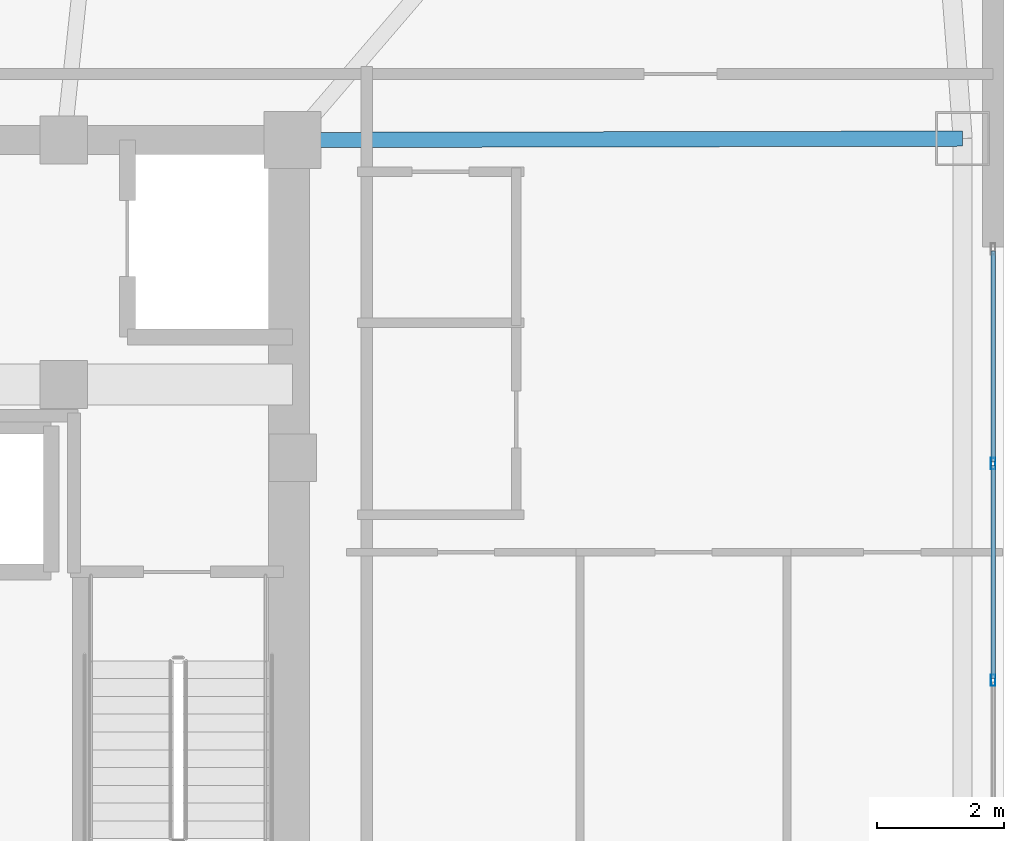
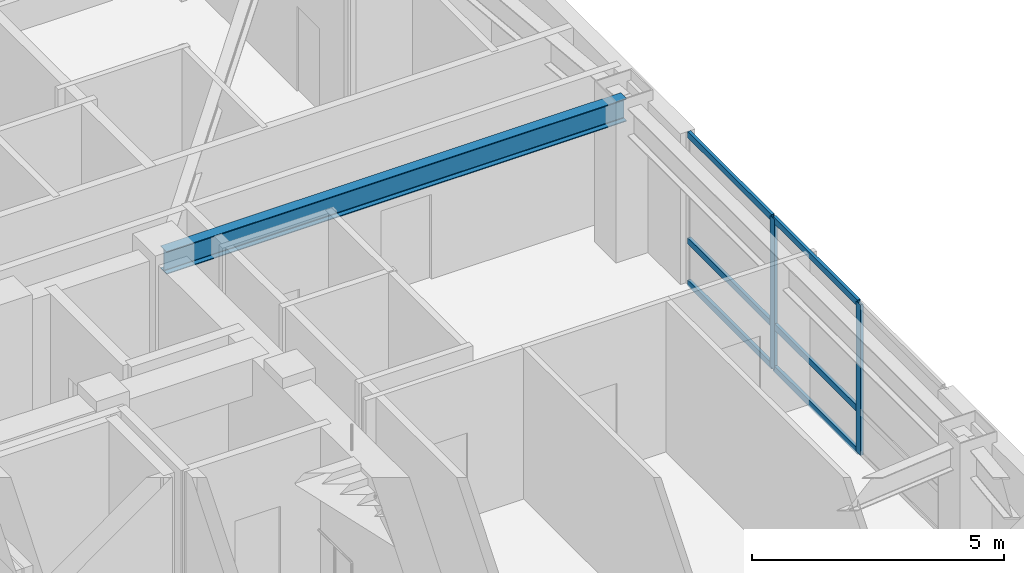
# One storey, part 13 of 29: 8 members, 1 beam, 1 element without a shape of its own.
"""IFC4 building model written with IfcOpenShell, lengths in metres."""

from ifc_helpers import new_model, si_unit, direction, frame, origin, origin_2d, place, context, subcontext, project, spatial, hollow_rectangle, i_section, extrude, material, layer, layer_set, material_profile, profile_set, type_object, element, aggregate, save


model = new_model("IFC4")

# Units and contexts
model_context = context("Model", 3, precision=1e-05, world=origin(), true_north=direction((0.0, 1.0)))
body_context = subcontext(model_context, "Body", "Model", "MODEL_VIEW")
ifc_project = project(units=[si_unit("LENGTHUNIT", "METRE"), si_unit("AREAUNIT", "SQUARE_METRE"), si_unit("VOLUMEUNIT", "CUBIC_METRE"), si_unit("PLANEANGLEUNIT", "RADIAN"), si_unit("MASSUNIT", "GRAM", prefix="KILO")], contexts=[model_context])

# Site, building, storey
site_placement = place(None, origin())
site = spatial("IfcSite", under=ifc_project, at=site_placement, CompositionType="ELEMENT")
building_placement = place(site_placement, origin())
building = spatial("IfcBuilding", under=site, at=building_placement, Name="Voryun Gate Residences", CompositionType="ELEMENT")
storey_placement = place(building_placement, frame((0.0, 0.0, 211.89990234375)))
storey = spatial("IfcBuildingStorey", under=building, at=storey_placement, Name="L52", CompositionType="ELEMENT", Elevation=211.89990234375)

# Beam
ifc_material_1 = material(Name="Steel SM355", Category="steel")
ifc_material_profile_1 = material_profile(ifc_material_1, i_section(OverallWidth=0.239990234375, OverallDepth=0.550048828125, WebThickness=0.011962890625, FlangeThickness=0.02001953125, FilletRadius=0.01806640625, at=origin_2d()), Name="H-550x240x12x20")
ifc_profile_set_1 = profile_set([ifc_material_profile_1], Name="Steel SM355")
beam_type = type_object("IfcBeamType", Name="BM_GIRD_550", PredefinedType="USERDEFINED", material=ifc_profile_set_1)
beam_placement = place(storey_placement, frame((19.199951171875, 7.39990234375, 3.375), z_axis=(0.99999778271, 0.002105843108, 0.0), x_axis=(-0.002105843108, 0.99999778271, 0.0)))
element("IfcBeam", 1, at=beam_placement, inside=storey, type_object=beam_type, Name="BM-L52-RAD-E2", ObjectType="GIRDER", PredefinedType="USERDEFINED", context=body_context, shape_type="SweptSolid", body=[
    extrude(i_section(OverallWidth=0.239990234375, OverallDepth=0.550048828125, WebThickness=0.011962890625, FlangeThickness=0.02001953125, FilletRadius=0.01806640625, at=origin_2d()), origin(), (0.0, 0.0, 1.0), 10.550048828125),
])

# Curtain wall, members
ifc_material_2 = material(Name="Anodised aluminium", Category="aluminium")
ifc_layer = layer(ifc_material_2, 0.18994140625, Name="CW_SYS_RES_B_DARK_GLASS")
ifc_layer_set = layer_set([ifc_layer], Name="Anodised aluminium")
curtain_wall_type = type_object("IfcCurtainWallType", Name="CW_SYS_RES_B_DARK_GLASS", PredefinedType="NOTDEFINED", material=ifc_layer_set)
curtain_wall_placement = place(storey_placement, origin())
curtain_wall = element("IfcCurtainWall", 2, at=curtain_wall_placement, inside=storey, type_object=curtain_wall_type, Name="Curtain wall CWT-L52-16", PredefinedType="NOTDEFINED")
ifc_material_3 = material(Name="Anodised aluminium", Category="aluminium")
ifc_material_profile_2 = material_profile(ifc_material_3, hollow_rectangle(XDim=0.070068359375, YDim=0.179931640625, WallThickness=0.00390625, at=origin_2d()), Name="ALU-MULL-180x70x4")
ifc_profile_set_2 = profile_set([ifc_material_profile_2], Name="Anodised aluminium")
member_type_1 = type_object("IfcMemberType", Name="CW_MULL_RES", PredefinedType="MULLION", material=ifc_profile_set_2)
member_1_placement = place(storey_placement, frame((30.22998046875, 2.304931640625, 0.0), z_axis=(0.0, 0.0, 1.0), x_axis=(1.0, 0.0, 0.0)))
member_1 = element("IfcMember", 3, at=member_1_placement, type_object=member_type_1, Name="CW4 mullion 2", PredefinedType="MULLION", context=body_context, shape_type="SweptSolid", body=[
    extrude(hollow_rectangle(XDim=0.070068359375, YDim=0.179931640625, WallThickness=0.00390625, at=origin_2d()), origin(), (0.0, 0.0, 1.0), 3.650146484375),
])
member_2_placement = place(storey_placement, frame((30.22998046875, -1.10498046875, 0.0), z_axis=(0.0, 0.0, 1.0), x_axis=(1.0, 0.0, 0.0)))
member_2 = element("IfcMember", 4, at=member_2_placement, type_object=member_type_1, Name="CW4 mullion 3", PredefinedType="MULLION", context=body_context, shape_type="SweptSolid", body=[
    extrude(hollow_rectangle(XDim=0.070068359375, YDim=0.179931640625, WallThickness=0.00390625, at=origin_2d()), origin(), (0.0, 0.0, 1.0), 3.650146484375),
])
ifc_material_4 = material(Name="Anodised aluminium", Category="aluminium")
ifc_material_profile_3 = material_profile(ifc_material_4, hollow_rectangle(XDim=0.070068359375, YDim=0.14990234375, WallThickness=0.00390625, at=origin_2d()), Name="ALU-TRAN-150x70x4")
ifc_profile_set_3 = profile_set([ifc_material_profile_3], Name="Anodised aluminium")
member_type_2 = type_object("IfcMemberType", Name="CW_TRAN_RES", PredefinedType="USERDEFINED", material=ifc_profile_set_3)
member_3_placement = place(storey_placement, frame((30.22998046875, 5.65478515625, 0.030029296875), z_axis=(0.0, -1.0, 0.0), x_axis=(1.0, 0.0, 0.0)))
member_3 = element("IfcMember", 5, at=member_3_placement, type_object=member_type_2, Name="CW4 transom 1.1", ObjectType="TRANSOM", PredefinedType="USERDEFINED", context=body_context, shape_type="SweptSolid", body=[
    extrude(hollow_rectangle(XDim=0.070068359375, YDim=0.14990234375, WallThickness=0.00390625, at=origin_2d()), origin(), (0.0, 0.0, 1.0), 3.31982421875),
])
member_4_placement = place(storey_placement, frame((30.22998046875, 5.65478515625, 1.050048828125), z_axis=(0.0, -1.0, 0.0), x_axis=(1.0, 0.0, 0.0)))
member_4 = element("IfcMember", 6, at=member_4_placement, type_object=member_type_2, Name="CW4 transom 1.2", ObjectType="TRANSOM", PredefinedType="USERDEFINED", context=body_context, shape_type="SweptSolid", body=[
    extrude(hollow_rectangle(XDim=0.070068359375, YDim=0.14990234375, WallThickness=0.00390625, at=origin_2d()), origin(), (0.0, 0.0, 1.0), 3.31982421875),
])
member_5_placement = place(storey_placement, frame((30.22998046875, 5.65478515625, 3.6201171875), z_axis=(0.0, -1.0, 0.0), x_axis=(1.0, 0.0, 0.0)))
member_5 = element("IfcMember", 7, at=member_5_placement, type_object=member_type_2, Name="CW4 transom 1.3", ObjectType="TRANSOM", PredefinedType="USERDEFINED", context=body_context, shape_type="SweptSolid", body=[
    extrude(hollow_rectangle(XDim=0.070068359375, YDim=0.14990234375, WallThickness=0.00390625, at=origin_2d()), origin(), (0.0, 0.0, 1.0), 3.31982421875),
])
member_6_placement = place(storey_placement, frame((30.22998046875, 2.27490234375, 0.030029296875), z_axis=(0.0, -1.0, 0.0), x_axis=(1.0, 0.0, 0.0)))
member_6 = element("IfcMember", 8, at=member_6_placement, type_object=member_type_2, Name="CW4 transom 2.1", ObjectType="TRANSOM", PredefinedType="USERDEFINED", context=body_context, shape_type="SweptSolid", body=[
    extrude(hollow_rectangle(XDim=0.070068359375, YDim=0.14990234375, WallThickness=0.00390625, at=origin_2d()), origin(), (0.0, 0.0, 1.0), 3.349853515625),
])
member_7_placement = place(storey_placement, frame((30.22998046875, 2.27490234375, 1.050048828125), z_axis=(0.0, -1.0, 0.0), x_axis=(1.0, 0.0, 0.0)))
member_7 = element("IfcMember", 9, at=member_7_placement, type_object=member_type_2, Name="CW4 transom 2.2", ObjectType="TRANSOM", PredefinedType="USERDEFINED", context=body_context, shape_type="SweptSolid", body=[
    extrude(hollow_rectangle(XDim=0.070068359375, YDim=0.14990234375, WallThickness=0.00390625, at=origin_2d()), origin(), (0.0, 0.0, 1.0), 3.349853515625),
])
member_8_placement = place(storey_placement, frame((30.22998046875, 2.27490234375, 3.6201171875), z_axis=(0.0, -1.0, 0.0), x_axis=(1.0, 0.0, 0.0)))
member_8 = element("IfcMember", 10, at=member_8_placement, type_object=member_type_2, Name="CW4 transom 2.3", ObjectType="TRANSOM", PredefinedType="USERDEFINED", context=body_context, shape_type="SweptSolid", body=[
    extrude(hollow_rectangle(XDim=0.070068359375, YDim=0.14990234375, WallThickness=0.00390625, at=origin_2d()), origin(), (0.0, 0.0, 1.0), 3.349853515625),
])
aggregate(curtain_wall, [member_1, member_2, member_3, member_4, member_5, member_6, member_7, member_8])

save(model, "model.ifc")
